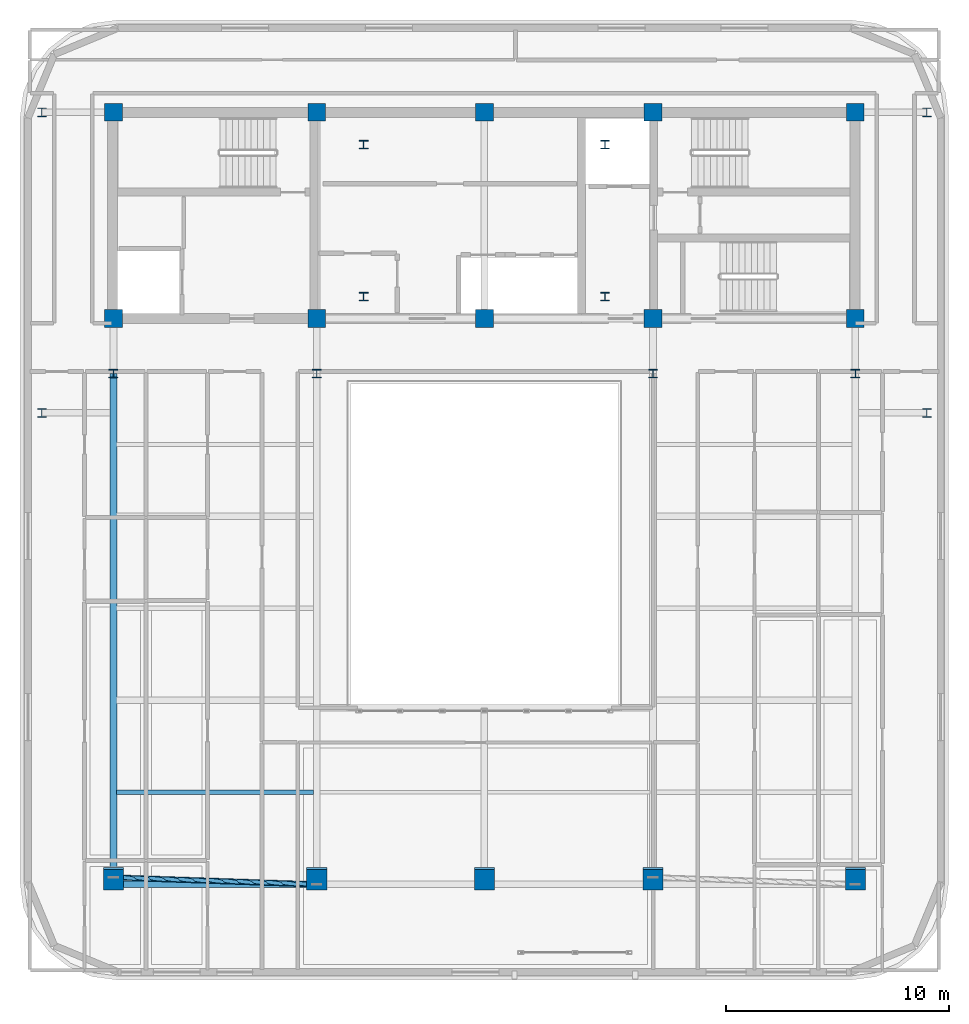
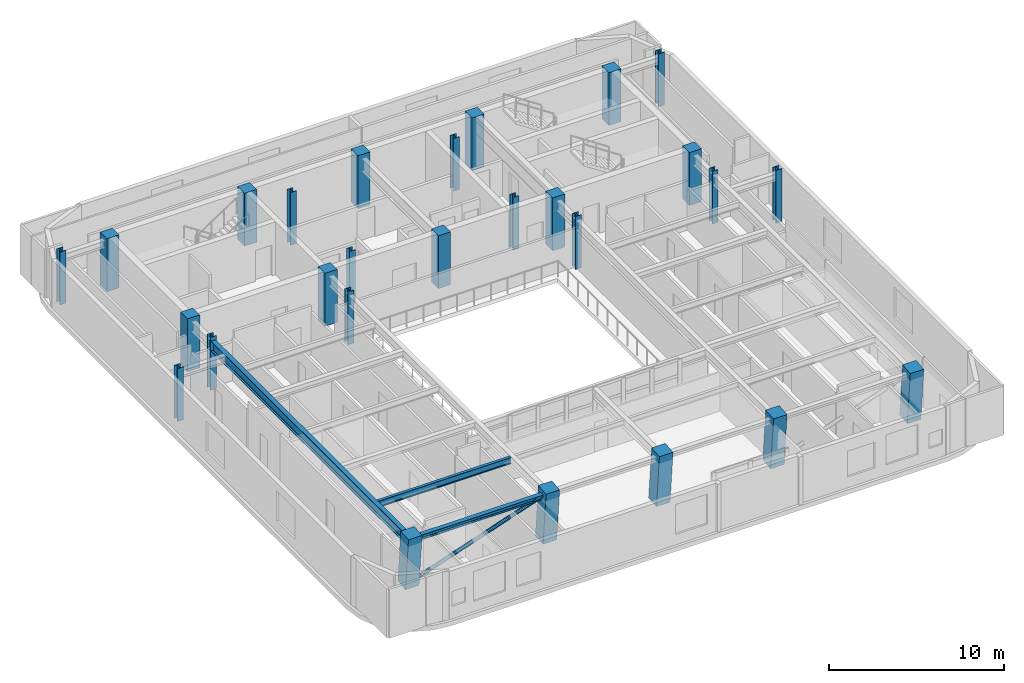
# One storey, part 1 of 14: 27 columns, 3 beams, 1 member.
"""IFC4 building model written with IfcOpenShell, lengths in metres."""

import ifcopenshell
import ifcopenshell.guid

model = None  # the IFC model being written
_history = None  # IfcOwnerHistory: only IFC2X3 demands one
_inside = {}  # id of a spatial element -> (the spatial element, [elements in it])
_under = {}  # id of a project, library or spatial element -> (it, [spatial elements below it])
_declared = {}  # id of a project -> (the project, [libraries it declares])
_typed = {}  # id of a type object -> (the type object, [elements of that type])
_made_of = {}  # id of a material, layer set ... -> (it, [elements and type objects made of it])


def new_model(schema):
    """Start an empty IFC model of exactly this schema.

    Asked for "IFC4X3", IfcOpenShell would pick the latest addendum, in which some entities
    have other attributes; the version numbers below select the first issue.
    IFC2X3 requires an IfcOwnerHistory on every rooted entity: one is made here for all.
    """
    global model, _history
    if schema == "IFC4X3":
        model = ifcopenshell.file(schema_version=(4, 3, 0, 0))
    else:
        model = ifcopenshell.file(schema=schema)
    _inside.clear()
    _under.clear()
    _declared.clear()
    _typed.clear()
    _made_of.clear()
    _history = None
    if model.schema == "IFC2X3":
        org = make("IfcOrganization", Name="unknown")
        user = make(
            "IfcPersonAndOrganization",
            ThePerson=make("IfcPerson", FamilyName="unknown"),
            TheOrganization=org,
        )
        app = make(
            "IfcApplication",
            ApplicationDeveloper=org,
            Version="unknown",
            ApplicationFullName="unknown",
            ApplicationIdentifier="unknown",
        )
        _history = make(
            "IfcOwnerHistory",
            OwningUser=user,
            OwningApplication=app,
            ChangeAction="ADDED",
            CreationDate=0,
        )
    return model


def make(cls, **values):
    """One entity of the class cls with the attributes given. An attribute that is None is left unset."""
    return model.create_entity(
        cls, **{name: value for name, value in values.items() if value is not None}
    )


def rooted(cls, **values):
    """An entity with a GlobalId (a new one), such as an element, a storey or a relation."""
    return make(cls, GlobalId=ifcopenshell.guid.new(), OwnerHistory=_history, **values)


def si_unit(unit_type, name, prefix=None):
    """IfcSIUnit, for example si_unit("LENGTHUNIT", "METRE", prefix="MILLI")."""
    return make("IfcSIUnit", UnitType=unit_type, Prefix=prefix, Name=name)


def assignment(units):
    """IfcUnitAssignment: the units of a project."""
    return None if units is None else make("IfcUnitAssignment", Units=units)


def point(xyz):
    """IfcCartesianPoint."""
    return None if xyz is None else make("IfcCartesianPoint", Coordinates=xyz)


def direction(xyz):
    """IfcDirection."""
    return None if xyz is None else make("IfcDirection", DirectionRatios=xyz)


def frame(location, z_axis=None, x_axis=None):
    """IfcAxis2Placement3D, a coordinate frame: its origin and axes. An axis left out is left unset."""
    return make(
        "IfcAxis2Placement3D",
        Location=point(location),
        Axis=direction(z_axis),
        RefDirection=direction(x_axis),
    )


def frame_2d(location, x_axis=None):
    """IfcAxis2Placement2D, a coordinate frame in the plane: its origin and x axis."""
    return make(
        "IfcAxis2Placement2D", Location=point(location), RefDirection=direction(x_axis)
    )


def origin():
    """The frame at (0, 0, 0) with its axes left unset."""
    return frame((0.0, 0.0, 0.0))


def origin_2d():
    """The frame at (0, 0) in the plane with its x axis left unset."""
    return frame_2d((0.0, 0.0))


def place(relative_to, where):
    """IfcLocalPlacement: puts the frame where relative to a parent placement (None: the world)."""
    return make(
        "IfcLocalPlacement", PlacementRelTo=relative_to, RelativePlacement=where
    )


def context(
    kind, dimensions, precision=None, world=None, true_north=None, identifier=None
):
    """IfcGeometricRepresentationContext, for example the 3D "Model" context."""
    return make(
        "IfcGeometricRepresentationContext",
        ContextIdentifier=identifier,
        ContextType=kind,
        CoordinateSpaceDimension=dimensions,
        Precision=precision,
        WorldCoordinateSystem=world,
        TrueNorth=true_north,
    )


def subcontext(parent, identifier, kind, view, scale=None):
    """IfcGeometricRepresentationSubContext, for example "Body" below "Model"."""
    return make(
        "IfcGeometricRepresentationSubContext",
        ContextIdentifier=identifier,
        ContextType=kind,
        ParentContext=parent,
        TargetScale=scale,
        TargetView=view,
    )


def project(units=None, contexts=None):
    """IfcProject with its units and contexts."""
    return rooted(
        "IfcProject",
        Name="project",
        RepresentationContexts=contexts,
        UnitsInContext=assignment(units),
    )


def spatial(cls, under=None, at=None, **own):
    """A site, building, storey or space (cls), placed at a placement, below another one or the project."""
    s = rooted(cls, ObjectPlacement=at, **own)
    if under is not None:
        _under.setdefault(under.id(), (under, []))[1].append(s)
    return s


def profile(cls, at=None, kind="AREA", **sizes):
    """A parametric profile (cls). Its sizes go by their IFC names, for example OverallWidth=200.0."""
    return make(cls, ProfileType=kind, Position=at, **sizes)


def rectangle(**sizes):
    """IfcRectangleProfileDef."""
    return profile("IfcRectangleProfileDef", **sizes)


def hollow_circle(**sizes):
    """IfcCircleHollowProfileDef."""
    return profile("IfcCircleHollowProfileDef", **sizes)


def i_section(**sizes):
    """IfcIShapeProfileDef."""
    return profile("IfcIShapeProfileDef", **sizes)


def extrude(swept, where, along, depth):
    """IfcExtrudedAreaSolid: the profile swept, set in the frame where, extruded along a direction by depth."""
    return make(
        "IfcExtrudedAreaSolid",
        SweptArea=swept,
        Position=where,
        ExtrudedDirection=direction(along),
        Depth=depth,
    )


def shape(context_of_items, identifier, shape_type, items):
    """IfcShapeRepresentation: the items that make up one representation, for example the "Body"."""
    return make(
        "IfcShapeRepresentation",
        ContextOfItems=context_of_items,
        RepresentationIdentifier=identifier,
        RepresentationType=shape_type,
        Items=items,
    )


def material(Name=None, Category=None):
    """IfcMaterial."""
    return make("IfcMaterial", Name=Name, Category=Category)


def material_profile(
    of_material, cross_section, Name=None, Category=None, Priority=None
):
    """IfcMaterialProfile: a cross section and its material."""
    return make(
        "IfcMaterialProfile",
        Name=Name,
        Material=of_material,
        Profile=cross_section,
        Priority=Priority,
        Category=Category,
    )


def profile_set(profiles, Name=None, composite=None):
    """IfcMaterialProfileSet."""
    return make(
        "IfcMaterialProfileSet",
        Name=Name,
        MaterialProfiles=profiles,
        CompositeProfile=composite,
    )


def made_of(thing, what):
    """Note that an element or type object is made of a material, layer set ...; save() writes the relation."""
    if what is not None:
        _made_of.setdefault(what.id(), (what, []))[1].append(thing)
    return thing


def type_object(cls, material=None, **own):
    """A type object (cls), such as IfcWallType, which elements share."""
    return made_of(rooted(cls, **own), material)


def element(
    cls,
    number,
    at=None,
    inside=None,
    cuts=None,
    type_object=None,
    material=None,
    context=None,
    identifier="Body",
    shape_type=None,
    held_by="IfcProductDefinitionShape",
    body=None,
    shapes=None,
    **own,
):
    """One element of the class cls, such as IfcWall. Its Tag is "e" and its number.

    at: its placement. inside: the storey or other place that contains it. cuts: it is an
    opening in that element (IfcRelVoidsElement). A single representation is given by context,
    identifier, shape_type and body (its items); several are given by shapes. held_by: the class
    of the entity that holds the representations. save() writes the other relations.
    """
    e = rooted(cls, Tag="e%d" % number, ObjectPlacement=at, **own)
    if body is not None:
        shapes = [shape(context, identifier, shape_type, body)]
    if shapes is not None:
        e.Representation = make(held_by, Representations=shapes)
    if inside is not None:
        _inside.setdefault(inside.id(), (inside, []))[1].append(e)
    if cuts is not None:
        rooted(
            "IfcRelVoidsElement", RelatingBuildingElement=cuts, RelatedOpeningElement=e
        )
    if type_object is not None:
        _typed.setdefault(type_object.id(), (type_object, []))[1].append(e)
    return made_of(e, material)


def aggregate(whole, parts):
    """IfcRelAggregates: a whole, such as a stair, and the parts it consists of."""
    return rooted("IfcRelAggregates", RelatingObject=whole, RelatedObjects=parts)


def save(model, path):
    """Write the relations noted so far, then the file.

    IfcRelAggregates (storeys below a building ...), IfcRelContainedInSpatialStructure (elements
    in a storey), IfcRelDefinesByType, IfcRelAssociatesMaterial and IfcRelDeclares: one each for
    every whole, place, type object, material and project.
    """
    for whole, parts in _under.values():
        aggregate(whole, parts)
    for where, things in _inside.values():
        rooted(
            "IfcRelContainedInSpatialStructure",
            RelatedElements=things,
            RelatingStructure=where,
        )
    for kind, things in _typed.values():
        rooted("IfcRelDefinesByType", RelatedObjects=things, RelatingType=kind)
    for what, things in _made_of.values():
        rooted("IfcRelAssociatesMaterial", RelatedObjects=things, RelatingMaterial=what)
    for by, libraries in _declared.values():
        rooted("IfcRelDeclares", RelatingContext=by, RelatedDefinitions=libraries)
    model.write(path)


model = new_model("IFC4")

# Units and contexts
model_context = context("Model", 3, precision=1e-05, world=origin(), true_north=direction((0.0, 1.0)))
body_context = subcontext(model_context, "Body", "Model", "MODEL_VIEW")
ifc_project = project(units=[si_unit("LENGTHUNIT", "METRE"), si_unit("AREAUNIT", "SQUARE_METRE"), si_unit("VOLUMEUNIT", "CUBIC_METRE"), si_unit("PLANEANGLEUNIT", "RADIAN"), si_unit("MASSUNIT", "GRAM", prefix="KILO")], contexts=[model_context])

# Site, building, storey
site_placement = place(None, origin())
site = spatial("IfcSite", under=ifc_project, at=site_placement, CompositionType="ELEMENT")
building_placement = place(site_placement, origin())
building = spatial("IfcBuilding", under=site, at=building_placement, Name="Zarnavel Station Tower", CompositionType="ELEMENT")
storey_placement = place(building_placement, frame((0.0, 0.0, 258.39990234375)))
storey = spatial("IfcBuildingStorey", under=building, at=storey_placement, Name="L70", CompositionType="ELEMENT", Elevation=258.39990234375)

# Columns
ifc_material_1 = material(Name="Steel S355J2", Category="steel")
ifc_material_profile_1 = material_profile(ifc_material_1, i_section(OverallWidth=0.407958984375, OverallDepth=0.39990234375, WebThickness=0.02490234375, FlangeThickness=0.0390625, FilletRadius=0.014892578125, at=origin_2d()), Name="HD400x287")
ifc_profile_set_1 = profile_set([ifc_material_profile_1], Name="Steel S355J2")
column_type_1 = type_object("IfcColumnType", Name="EC_HD287", PredefinedType="COLUMN", material=ifc_profile_set_1)
for number, where, z_axis, x_axis, name in (
    (1, (9.0, 23.60009765625, 0.0), (0.0, 0.0, 1.0), (1.0, 0.0, 0.0), "L70 Inner Wing Spine Column 1-1"),
    (2, (9.0, 37.050048828125, 0.0), (0.0, 0.0, 1.0), (1.0, 0.0, 0.0), "L70 Inner Wing Spine Column 1-2"),
    (3, (48.60009765625, 23.60009765625, 0.0), (0.0, 0.0, 1.0), (1.0, 0.0, 0.0), "L70 Inner Wing Spine Column 2-1"),
    (4, (48.60009765625, 37.050048828125, 0.0), (0.0, 0.0, 1.0), (1.0, 0.0, 0.0), "L70 Inner Wing Spine Column 2-2"),
):
    element("IfcColumn", number, at=place(storey_placement, frame(where, z_axis=z_axis, x_axis=x_axis)), inside=storey, type_object=column_type_1, Name=name, PredefinedType="COLUMN", context=body_context, shape_type="SweptSolid", body=[
        extrude(i_section(OverallWidth=0.407958984375, OverallDepth=0.39990234375, WebThickness=0.02490234375, FlangeThickness=0.0390625, FilletRadius=0.014892578125, at=origin_2d()), origin(), (0.0, 0.0, 1.0), 3.7001953125),
    ])
ifc_material_2 = material(Name="Steel S355J2", Category="steel")
ifc_material_profile_2 = material_profile(ifc_material_2, i_section(OverallWidth=0.39501953125, OverallDepth=0.3798828125, WebThickness=0.018798828125, FlangeThickness=0.0302734375, FilletRadius=0.014892578125, at=origin_2d()), Name="HD400x237")
ifc_profile_set_2 = profile_set([ifc_material_profile_2], Name="Steel S355J2")
column_type_2 = type_object("IfcColumnType", Name="IC_HD237", PredefinedType="COLUMN", material=ifc_profile_set_2)
for number, where, z_axis, x_axis, name in (
    (5, (23.39990234375, 28.800048828125, 0.0), (0.0, 0.0, 1.0), (1.0, 0.0, 0.0), "L70 Mast Spine Column 1"),
    (6, (34.199951171875, 28.800048828125, 0.0), (0.0, 0.0, 1.0), (1.0, 0.0, 0.0), "L70 Mast Spine Column 2"),
    (7, (34.199951171875, 35.60009765625, 0.0), (0.0, 0.0, 1.0), (1.0, 0.0, 0.0), "L70 Mast Spine Column 3"),
    (8, (23.39990234375, 35.60009765625, 0.0), (0.0, 0.0, 1.0), (1.0, 0.0, 0.0), "L70 Mast Spine Column 4"),
    (9, (12.199951171875, 25.35009765625, 0.0), (0.0, 0.0, 1.0), (1.0, 0.0, 0.0), "L70 Inner Spine Column 1"),
    (10, (21.300048828125, 25.35009765625, 0.0), (0.0, 0.0, 1.0), (1.0, 0.0, 0.0), "L70 Inner Spine Column 2"),
    (11, (36.35009765625, 25.35009765625, 0.0), (0.0, 0.0, 1.0), (1.0, 0.0, 0.0), "L70 Inner Spine Column 4"),
    (12, (45.39990234375, 25.35009765625, 0.0), (0.0, 0.0, 1.0), (1.0, 0.0, 0.0), "L70 Inner Spine Column 5"),
):
    element("IfcColumn", number, at=place(storey_placement, frame(where, z_axis=z_axis, x_axis=x_axis)), inside=storey, type_object=column_type_2, Name=name, PredefinedType="COLUMN", context=body_context, shape_type="SweptSolid", body=[
        extrude(i_section(OverallWidth=0.39501953125, OverallDepth=0.3798828125, WebThickness=0.018798828125, FlangeThickness=0.0302734375, FilletRadius=0.014892578125, at=origin_2d()), origin(), (0.0, 0.0, 1.0), 3.7001953125),
    ])
ifc_material_3 = material(Name="Concrete C45/55", Category="concrete")
ifc_material_profile_3 = material_profile(ifc_material_3, rectangle(XDim=0.800048828125, YDim=0.800048828125, at=origin_2d()), Name="RC800x800")
ifc_profile_set_3 = profile_set([ifc_material_profile_3], Name="Concrete C45/55")
column_type_3 = type_object("IfcColumnType", Name="IC_RC800", PredefinedType="COLUMN", material=ifc_profile_set_3)
for number, where, z_axis, x_axis, name in (
    (13, (12.199951171875, 27.820068359375, 0.0), (0.0, 0.0, 1.0), (1.0, 0.0, 0.0), "L70 Core Spine Column 1-1"),
    (14, (12.199951171875, 37.050048828125, 0.0), (0.0, 0.0, 1.0), (1.0, 0.0, 0.0), "L70 Core Spine Column 1-2"),
    (15, (21.300048828125, 27.820068359375, 0.0), (0.0, 0.0, 1.0), (1.0, 0.0, 0.0), "L70 Core Spine Column 2-1"),
    (16, (21.300048828125, 37.050048828125, 0.0), (0.0, 0.0, 1.0), (1.0, 0.0, 0.0), "L70 Core Spine Column 2-2"),
    (17, (28.800048828125, 27.820068359375, 0.0), (0.0, 0.0, 1.0), (1.0, 0.0, 0.0), "L70 Core Spine Column 3-1"),
    (18, (28.800048828125, 37.050048828125, 0.0), (0.0, 0.0, 1.0), (1.0, 0.0, 0.0), "L70 Core Spine Column 3-2"),
    (19, (36.35009765625, 27.820068359375, 0.0), (0.0, 0.0, 1.0), (1.0, 0.0, 0.0), "L70 Core Spine Column 4-1"),
    (20, (36.35009765625, 37.050048828125, 0.0), (0.0, 0.0, 1.0), (1.0, 0.0, 0.0), "L70 Core Spine Column 4-2"),
    (21, (45.39990234375, 27.820068359375, 0.0), (0.0, 0.0, 1.0), (1.0, 0.0, 0.0), "L70 Core Spine Column 5-1"),
    (22, (45.39990234375, 37.050048828125, 0.0), (0.0, 0.0, 1.0), (1.0, 0.0, 0.0), "L70 Core Spine Column 5-2"),
):
    element("IfcColumn", number, at=place(storey_placement, frame(where, z_axis=z_axis, x_axis=x_axis)), inside=storey, type_object=column_type_3, Name=name, PredefinedType="COLUMN", context=body_context, shape_type="SweptSolid", body=[
        extrude(rectangle(XDim=0.800048828125, YDim=0.800048828125, at=origin_2d()), origin(), (0.0, 0.0, 1.0), 3.7001953125),
    ])
ifc_material_4 = material(Name="Concrete C50/60", Category="concrete")
ifc_material_profile_4 = material_profile(ifc_material_4, rectangle(XDim=0.89990234375, YDim=0.89990234375, at=origin_2d()), Name="RC900x900")
ifc_profile_set_4 = profile_set([ifc_material_profile_4], Name="Concrete C50/60")
column_type_4 = type_object("IfcColumnType", Name="MC_RC900", PredefinedType="COLUMN", material=ifc_profile_set_4)
for number, where, z_axis, x_axis, name in (
    (23, (12.199951171875, 2.811767578125, 0.0), (0.0, -0.090221727315, 0.99592170371), (1.0, 0.0, 0.0), "L70 Raked South Mega-Column 1"),
    (24, (21.300048828125, 2.811767578125, 0.0), (0.0, -0.090221727315, 0.99592170371), (1.0, 0.0, 0.0), "L70 Raked South Mega-Column 2"),
    (25, (28.800048828125, 2.811767578125, 0.0), (0.0, -0.090221727315, 0.99592170371), (1.0, 0.0, 0.0), "L70 Raked South Mega-Column 3"),
    (26, (36.35009765625, 2.811767578125, 0.0), (0.0, -0.090221727315, 0.99592170371), (1.0, 0.0, 0.0), "L70 Raked South Mega-Column 4"),
    (27, (45.39990234375, 2.811767578125, 0.0), (0.0, -0.090221727315, 0.99592170371), (1.0, 0.0, 0.0), "L70 Raked South Mega-Column 5"),
):
    element("IfcColumn", number, at=place(storey_placement, frame(where, z_axis=z_axis, x_axis=x_axis)), inside=storey, type_object=column_type_4, Name=name, PredefinedType="COLUMN", context=body_context, shape_type="SweptSolid", body=[
        extrude(rectangle(XDim=0.89990234375, YDim=0.89990234375, at=origin_2d()), origin(), (0.0, 0.0, 1.0), 3.71533203125),
    ])

# Member
ifc_material_5 = material(Name="Steel S355J2", Category="steel")
ifc_material_profile_5 = material_profile(ifc_material_5, hollow_circle(Radius=0.122314453125, WallThickness=0.010009765625, at=origin_2d()), Name="CHS244.5x10")
ifc_profile_set_5 = profile_set([ifc_material_profile_5], Name="Steel S355J2")
member_type = type_object("IfcMemberType", Name="DB_EXT_CHS245", PredefinedType="BRACE", material=ifc_profile_set_5)
member_placement = place(storey_placement, frame((12.199951171875, 2.811767578125, 0.0), z_axis=(0.935595182058, -0.03187760587, 0.35163258318), x_axis=(0.034052247375, 0.999420054056, 0.0)))
element("IfcMember", 28, at=member_placement, inside=storey, type_object=member_type, Name="L70 Persian Exterior Diagonal Frame Brace 1", PredefinedType="BRACE", context=body_context, shape_type="SweptSolid", body=[
    extrude(hollow_circle(Radius=0.122314453125, WallThickness=0.010009765625, at=origin_2d()), origin(), (0.0, 0.0, 1.0), 9.7265625),
])

# Beams
ifc_material_6 = material(Name="Steel S355J2", Category="steel")
ifc_material_profile_6 = material_profile(ifc_material_6, i_section(OverallWidth=0.300048828125, OverallDepth=0.320068359375, WebThickness=0.011474609375, FlangeThickness=0.0205078125, FilletRadius=0.027099609375, at=origin_2d()), Name="HEB320")
ifc_profile_set_6 = profile_set([ifc_material_profile_6], Name="Steel S355J2")
beam_type_1 = type_object("IfcBeamType", Name="EB_HEB320", PredefinedType="SPANDREL", material=ifc_profile_set_6)
beam_1_placement = place(storey_placement, frame((12.199951171875, 2.501708984375, 3.260009765625), z_axis=(1.0, 0.0, 0.0), x_axis=(0.0, 1.0, 0.0)))
element("IfcBeam", 29, at=beam_1_placement, inside=storey, type_object=beam_type_1, Name="L70 South Raked Spandrel 1", PredefinedType="SPANDREL", context=body_context, shape_type="SweptSolid", body=[
    extrude(i_section(OverallWidth=0.300048828125, OverallDepth=0.320068359375, WebThickness=0.011474609375, FlangeThickness=0.0205078125, FilletRadius=0.027099609375, at=origin_2d()), origin(), (0.0, 0.0, 1.0), 9.10009765625),
])
ifc_material_7 = material(Name="Steel S355J2", Category="steel")
ifc_material_profile_7 = material_profile(ifc_material_7, i_section(OverallWidth=0.18994140625, OverallDepth=0.449951171875, WebThickness=0.009521484375, FlangeThickness=0.0146484375, FilletRadius=0.02099609375, at=origin_2d()), Name="IPE450")
ifc_profile_set_7 = profile_set([ifc_material_profile_7], Name="Steel S355J2")
beam_type_2 = type_object("IfcBeamType", Name="FB_IPE450", PredefinedType="BEAM", material=ifc_profile_set_7)
beam_2_placement = place(storey_placement, frame((12.344970703125, 6.6181640625, 3.195068359375), z_axis=(1.0, 0.0, 0.0), x_axis=(0.0, 1.0, 0.0)))
element("IfcBeam", 30, at=beam_2_placement, inside=storey, type_object=beam_type_2, Name="L70 West Bay Beam 1", PredefinedType="BEAM", context=body_context, shape_type="SweptSolid", body=[
    extrude(i_section(OverallWidth=0.18994140625, OverallDepth=0.449951171875, WebThickness=0.009521484375, FlangeThickness=0.0146484375, FilletRadius=0.02099609375, at=origin_2d()), origin(), (0.0, 0.0, 1.0), 8.81005859375),
])
ifc_material_8 = material(Name="Steel S355J2", Category="steel")
ifc_material_profile_8 = material_profile(ifc_material_8, i_section(OverallWidth=0.300048828125, OverallDepth=0.699951171875, WebThickness=0.01708984375, FlangeThickness=0.031982421875, FilletRadius=0.027099609375, at=origin_2d()), Name="HEB700")
ifc_profile_set_8 = profile_set([ifc_material_profile_8], Name="Steel S355J2")
beam_type_3 = type_object("IfcBeamType", Name="FG_HEB700", PredefinedType="USERDEFINED", material=ifc_profile_set_8)
beam_3_placement = place(storey_placement, frame((12.199951171875, 2.501708984375, 3.070068359375), z_axis=(0.0, 1.0, 0.0), x_axis=(-1.0, 0.0, 0.0)))
element("IfcBeam", 31, at=beam_3_placement, inside=storey, type_object=beam_type_3, Name="L70 South-Zone NS Girder 1", ObjectType="GIRDER", PredefinedType="USERDEFINED", context=body_context, shape_type="SweptSolid", body=[
    extrude(i_section(OverallWidth=0.300048828125, OverallDepth=0.699951171875, WebThickness=0.01708984375, FlangeThickness=0.031982421875, FilletRadius=0.027099609375, at=origin_2d()), origin(), (0.0, 0.0, 1.0), 22.848388671875),
])

save(model, "model.ifc")
